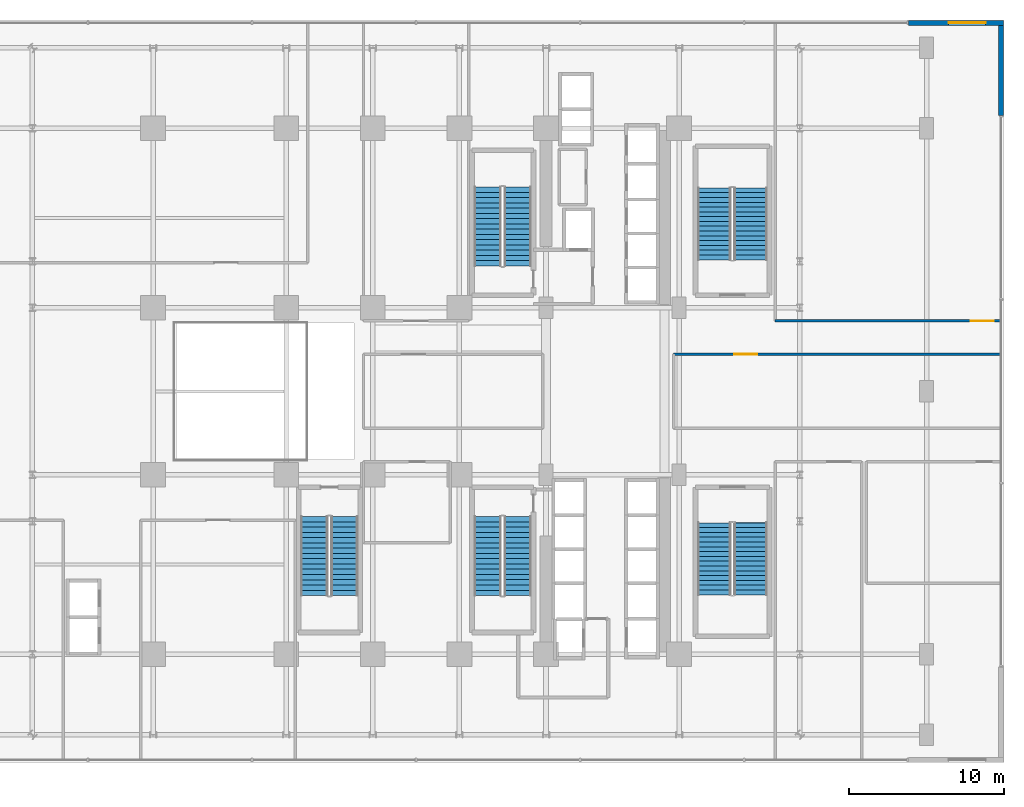
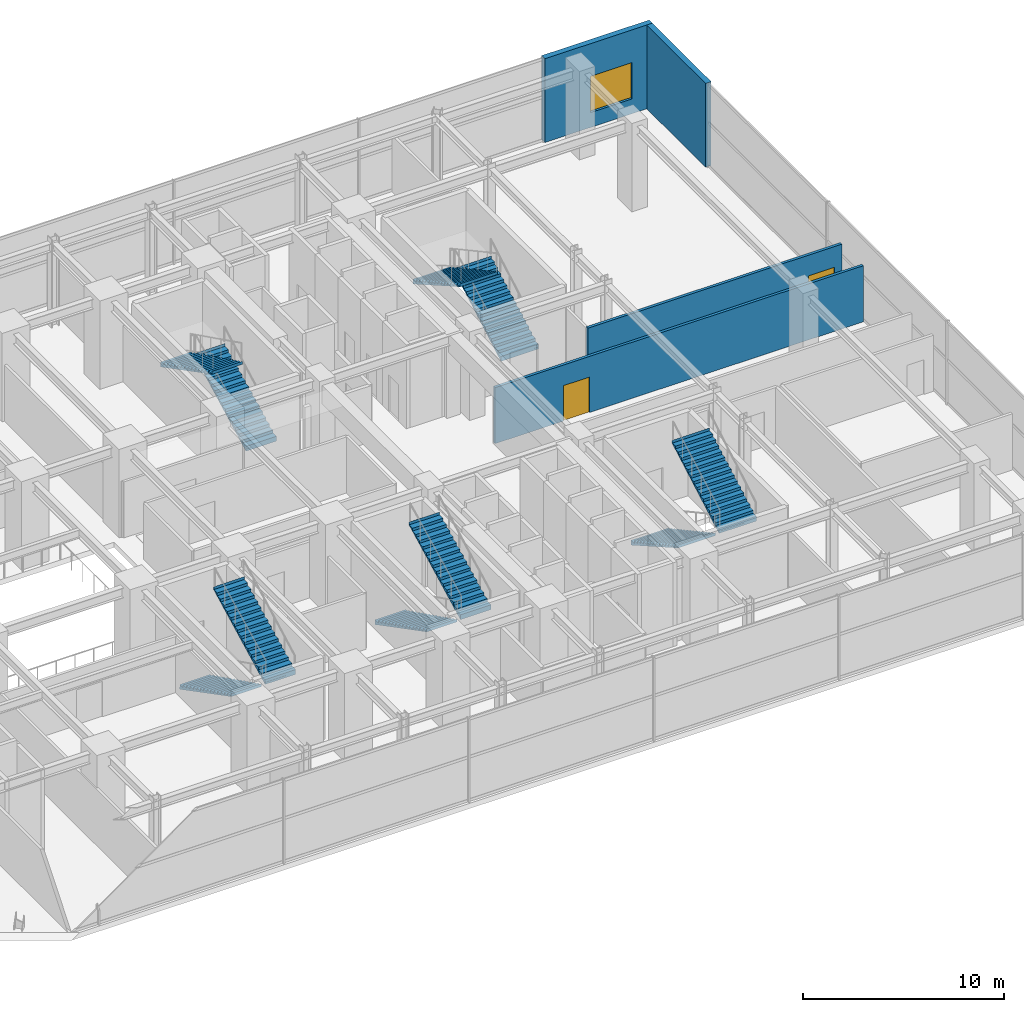
# One storey, part 30 of 32: 10 stair flights, 4 walls, 2 doors, 1 window, 3 openings, 5 elements without a shape of their own.
"""IFC4 building model written with IfcOpenShell, lengths in metres."""

from ifc_helpers import new_model, si_unit, direction, frame, frame_2d, origin, place, context, subcontext, project, spatial, polyline, rectangle, outline, extrude, source, transform, mapped, material, layer, layer_set, type_object, element, fill, aggregate, save


model = new_model("IFC4")

# Units and contexts
model_context = context("Model", 3, precision=1e-05, world=origin(), true_north=direction((0.0, 1.0)))
body_context = subcontext(model_context, "Body", "Model", "MODEL_VIEW")
ifc_project = project(units=[si_unit("LENGTHUNIT", "METRE"), si_unit("AREAUNIT", "SQUARE_METRE"), si_unit("VOLUMEUNIT", "CUBIC_METRE"), si_unit("PLANEANGLEUNIT", "RADIAN"), si_unit("MASSUNIT", "GRAM", prefix="KILO")], contexts=[model_context])

# Site, building, storey
site_placement = place(None, origin())
site = spatial("IfcSite", under=ifc_project, at=site_placement, CompositionType="ELEMENT")
building_placement = place(site_placement, origin())
building = spatial("IfcBuilding", under=site, at=building_placement, Name="Nahalor Promenade Grand Hotel", CompositionType="ELEMENT")
storey_placement = place(building_placement, frame((0.0, 0.0, 5.39990234375)))
storey = spatial("IfcBuildingStorey", under=building, at=storey_placement, Name="L01", CompositionType="ELEMENT", Elevation=5.39990234375)

# Wall, opening, window
ifc_material_1 = material(Name="Concrete B-40 (C32/40)", Category="concrete")
ifc_layer_1 = layer(ifc_material_1, 0.320068359375)
ifc_layer_set_1 = layer_set([ifc_layer_1], Name="Concrete B-40 (C32/40)")
wall_type_1 = type_object("IfcWallType", Name="Wall-LimestonePier-320", PredefinedType="STANDARD", material=ifc_layer_set_1)
shared_shape_1 = source(origin(), body_context, "Body", "SweptSolid", [
    extrude(rectangle(XDim=6.159912109375, YDim=0.320068359375, at=frame_2d((3.080078125, 0.0))), origin(), (0.0, 0.0, 1.0), 5.080078125),
])
wall_1_placement = place(storey_placement, frame((31.820068359375, 23.820068359375, 0.0), z_axis=(0.0, 0.0, 1.0), x_axis=(1.0, 0.0, 0.0)))
wall_1 = element("IfcWall", 1, at=wall_1_placement, inside=storey, type_object=wall_type_1, Name="W-L01-CRN-NE-X", PredefinedType="STANDARD", context=body_context, shape_type="MappedRepresentation", body=[
    mapped(shared_shape_1, transform((0.0, 0.0, 0.0), scale=1.0)),
])
opening_1_placement = place(wall_1_placement, frame((2.60009765625, 0.0, 0.89990234375)))
opening_1 = element("IfcOpeningElement", 2, at=opening_1_placement, cuts=wall_1, Name="Opening WN-02", PredefinedType="OPENING", context=body_context, shape_type="SweptSolid", body=[
    extrude(rectangle(XDim=2.39990234375, YDim=2.199951171875, at=frame_2d((1.199951171875, 1.10009765625))), frame((0.0, 0.169921875, 0.0), z_axis=(0.0, -1.0, 0.0), x_axis=(1.0, 0.0, 0.0)), (0.0, 0.0, 1.0), 0.340087890625),
])
ifc_material_2 = material(Name="Low-E Laminated Solar Glass", Category="glass")
window_type = type_object("IfcWindowType", Name="Win-PodiumArch-2400x2200", PartitioningType="SINGLE_PANEL", PredefinedType="WINDOW", material=ifc_material_2)
shared_shape_2 = source(origin(), body_context, "Body", "SweptSolid", [
    extrude(rectangle(XDim=2.39990234375, YDim=2.199951171875, at=frame_2d((1.199951171875, 1.10009765625))), frame((0.0, 0.030029296875, 0.0), z_axis=(0.0, -1.0, 0.0), x_axis=(1.0, 0.0, 0.0)), (0.0, 0.0, 1.0), 0.06005859375),
])
window_placement = place(opening_1_placement, origin())
window = element("IfcWindow", 3, at=window_placement, inside=storey, type_object=window_type, Name="WN-L01-NE-X", OverallHeight=2.199951171875, OverallWidth=2.39990234375, PartitioningType="SINGLE_PANEL", PredefinedType="WINDOW", context=body_context, shape_type="MappedRepresentation", body=[
    mapped(shared_shape_2, transform((0.0, 0.0, 0.0), scale=1.0)),
])
fill(opening_1, window)

# Wall
shared_shape_3 = source(origin(), body_context, "Body", "SweptSolid", [
    extrude(rectangle(XDim=5.83984375, YDim=0.320068359375, at=frame_2d((2.919921875, 0.0))), origin(), (0.0, 0.0, 1.0), 5.080078125),
])
wall_2_placement = place(storey_placement, frame((37.820068359375, 17.820068359375, 0.0), z_axis=(0.0, 0.0, 1.0), x_axis=(0.0, 1.0, 0.0)))
element("IfcWall", 4, at=wall_2_placement, inside=storey, type_object=wall_type_1, Name="W-L01-CRN-NE-Y", PredefinedType="STANDARD", context=body_context, shape_type="MappedRepresentation", body=[
    mapped(shared_shape_3, transform((0.0, 0.0, 0.0), scale=1.0)),
])

# Wall, opening, door
ifc_material_3 = material(Name="Acoustic Mineral Gypsum", Category="gypsum")
ifc_layer_2 = layer(ifc_material_3, 0.159912109375)
ifc_layer_set_2 = layer_set([ifc_layer_2], Name="Acoustic Mineral Gypsum")
wall_type_2 = type_object("IfcWallType", Name="Wall-PartCorridor-160", PredefinedType="PARTITIONING", material=ifc_layer_set_2)
shared_shape_4 = source(origin(), body_context, "Body", "SweptSolid", [
    extrude(rectangle(XDim=14.56005859375, YDim=0.159912109375, at=frame_2d((7.280029296875, 0.0))), origin(), (0.0, 0.0, 1.0), 3.400146484375),
])
wall_3_placement = place(storey_placement, frame((23.199951171875, 4.550048828125, 0.0), z_axis=(0.0, 0.0, 1.0), x_axis=(1.0, 0.0, 0.0)))
wall_3 = element("IfcWall", 5, at=wall_3_placement, inside=storey, type_object=wall_type_2, Name="W-L01-PR03-S", PredefinedType="PARTITIONING", context=body_context, shape_type="MappedRepresentation", body=[
    mapped(shared_shape_4, transform((0.0, 0.0, 0.0), scale=1.0)),
])
opening_2_placement = place(wall_3_placement, frame((12.652099609375, 0.0, 0.0)))
opening_2 = element("IfcOpeningElement", 6, at=opening_2_placement, cuts=wall_3, Name="Opening D-02", PredefinedType="OPENING", context=body_context, shape_type="SweptSolid", body=[
    extrude(rectangle(XDim=1.5, YDim=2.14990234375, at=frame_2d((0.75, 1.074951171875))), frame((0.0, 0.08984375, 0.0), z_axis=(0.0, -1.0, 0.0), x_axis=(1.0, 0.0, 0.0)), (0.0, 0.0, 1.0), 0.179931640625),
])
ifc_material_4 = material(Name="Fire-Rated Timber Composite", Category="wood")
door_type = type_object("IfcDoorType", Name="Door-SuiteDouble-1500", OperationType="DOUBLE_DOOR_SINGLE_SWING", PredefinedType="DOOR", material=ifc_material_4)
shared_shape_5 = source(origin(), body_context, "Body", "SweptSolid", [
    extrude(rectangle(XDim=1.5, YDim=2.14990234375, at=frame_2d((0.75, 1.074951171875))), frame((0.0, 0.02490234375, 0.0), z_axis=(0.0, -1.0, 0.0), x_axis=(1.0, 0.0, 0.0)), (0.0, 0.0, 1.0), 0.050048828125),
])
door_1_placement = place(opening_2_placement, origin())
door_1 = element("IfcDoor", 7, at=door_1_placement, inside=storey, type_object=door_type, Name="DR-L01-PR03", OperationType="DOUBLE_DOOR_SINGLE_SWING", OverallHeight=2.14990234375, OverallWidth=1.5, PredefinedType="DOOR", context=body_context, shape_type="MappedRepresentation", body=[
    mapped(shared_shape_5, transform((0.0, 0.0, 0.0), scale=1.0)),
])
fill(opening_2, door_1)

shared_shape_6 = source(origin(), body_context, "Body", "SweptSolid", [
    extrude(rectangle(XDim=21.110107421875, YDim=0.159912109375, at=frame_2d((10.55517578125, 0.0))), origin(), (0.0, 0.0, 1.0), 3.400146484375),
])
wall_4_placement = place(storey_placement, frame((16.64990234375, 2.39990234375, 0.0), z_axis=(0.0, 0.0, 1.0), x_axis=(1.0, 0.0, 0.0)))
wall_4 = element("IfcWall", 8, at=wall_4_placement, inside=storey, type_object=wall_type_2, Name="W-L01-PR08-N", PredefinedType="PARTITIONING", context=body_context, shape_type="MappedRepresentation", body=[
    mapped(shared_shape_6, transform((0.0, 0.0, 0.0), scale=1.0)),
])
opening_3_placement = place(wall_4_placement, frame((3.916015625, 0.0, 0.0)))
opening_3 = element("IfcOpeningElement", 9, at=opening_3_placement, cuts=wall_4, Name="Opening D-02", PredefinedType="OPENING", context=body_context, shape_type="SweptSolid", body=[
    extrude(rectangle(XDim=1.5, YDim=2.14990234375, at=frame_2d((0.75, 1.074951171875))), frame((0.0, 0.08984375, 0.0), z_axis=(0.0, -1.0, 0.0), x_axis=(1.0, 0.0, 0.0)), (0.0, 0.0, 1.0), 0.179931640625),
])
door_2_placement = place(opening_3_placement, frame((1.5, 0.0, 0.0), z_axis=(0.0, 0.0, 1.0), x_axis=(-1.0, 0.0, 0.0)))
door_2 = element("IfcDoor", 10, at=door_2_placement, inside=storey, type_object=door_type, Name="DR-L01-PR08", OperationType="DOUBLE_DOOR_SINGLE_SWING", OverallHeight=2.14990234375, OverallWidth=1.5, PredefinedType="DOOR", context=body_context, shape_type="MappedRepresentation", body=[
    mapped(shared_shape_5, transform((0.0, 0.0, 0.0), scale=1.0)),
])
fill(opening_3, door_2)

# Stair, stair flights
ifc_material_5 = material(Name="Concrete B-50 (C40/50)", Category="concrete")
stair_type_1 = type_object("IfcStairType", Name="Stair-ST1", PredefinedType="HALF_TURN_STAIR", material=ifc_material_5)
stair_1_placement = place(storey_placement, origin())
stair_1 = element("IfcStair", 11, at=stair_1_placement, inside=storey, type_object=stair_type_1, Name="L01 ST1", PredefinedType="HALF_TURN_STAIR")
ifc_layer_3 = layer(ifc_material_5, 0.179931640625)
ifc_layer_set_3 = layer_set([ifc_layer_3], Name="Concrete B-50 (C40/50)")
stair_flight_type_1 = type_object("IfcStairFlightType", Name="Flight-ST1", PredefinedType="STRAIGHT", material=ifc_layer_set_3)
shared_shape_7 = source(origin(), body_context, "Body", "SweptSolid", [
    extrude(outline(polyline([(-0.00390625, -0.1201171875), (-0.00390625, 0.0), (0.0, 0.0), (0.0, 0.168701171875), (0.340087890625, 0.168701171875), (0.340087890625, 0.33740234375), (0.679931640625, 0.33740234375), (0.679931640625, 0.50634765625), (1.02001953125, 0.50634765625), (1.02001953125, 0.675048828125), (1.360107421875, 0.675048828125), (1.360107421875, 0.84375), (1.699951171875, 0.84375), (1.699951171875, 1.012451171875), (2.0400390625, 1.012451171875), (2.0400390625, 1.18115234375), (2.3798828125, 1.18115234375), (2.3798828125, 1.35009765625), (2.719970703125, 1.35009765625), (2.719970703125, 1.518798828125), (3.06005859375, 1.518798828125), (3.06005859375, 1.6875), (3.39990234375, 1.6875), (3.39990234375, 1.856201171875), (3.739990234375, 1.856201171875), (3.739990234375, 2.02490234375), (4.080078125, 2.02490234375), (4.080078125, 2.19384765625), (4.419921875, 2.19384765625), (4.419921875, 2.362548828125), (4.760009765625, 2.362548828125), (4.760009765625, 2.53125), (5.10009765625, 2.53125), (5.10009765625, 2.699951171875), (5.10400390625, 2.699951171875), (5.10400390625, 2.52001953125), (0.02001953125, -0.1201171875), (-0.00390625, -0.1201171875)])), frame((0.0, 0.875, 0.0), z_axis=(0.0, -1.0, 0.0), x_axis=(1.0, 0.0, 0.0)), (0.0, 0.0, 1.0), 1.75),
])
stair_flight_1_placement = place(storey_placement, frame((6.574951171875, 8.10009765625, 0.0), z_axis=(0.0, 0.0, 1.0), x_axis=(0.0, 1.0, 0.0)))
stair_flight_1 = element("IfcStairFlight", 12, at=stair_flight_1_placement, type_object=stair_flight_type_1, Name="ST1 flight 1", NumberOfRisers=16, NumberOfTreads=15, PredefinedType="STRAIGHT", RiserHeight=0.16875, TreadLength=0.34, context=body_context, shape_type="MappedRepresentation", body=[
    mapped(shared_shape_7, transform((0.0, 0.0, 0.0), scale=1.0)),
])
stair_flight_2_placement = place(storey_placement, frame((4.625, 13.199951171875, 2.7001953125), z_axis=(0.0, 0.0, 1.0), x_axis=(0.0, -1.0, 0.0)))
stair_flight_2 = element("IfcStairFlight", 13, at=stair_flight_2_placement, type_object=stair_flight_type_1, Name="ST1 flight 2", NumberOfRisers=16, NumberOfTreads=15, PredefinedType="STRAIGHT", RiserHeight=0.16875, TreadLength=0.34, context=body_context, shape_type="MappedRepresentation", body=[
    mapped(shared_shape_7, transform((0.0, 0.0, 0.0), scale=1.0)),
])
aggregate(stair_1, [stair_flight_1, stair_flight_2])

stair_type_2 = type_object("IfcStairType", Name="Stair-ST2", PredefinedType="HALF_TURN_STAIR", material=ifc_material_5)
stair_2_placement = place(storey_placement, origin())
stair_2 = element("IfcStair", 14, at=stair_2_placement, inside=storey, type_object=stair_type_2, Name="L01 ST2", PredefinedType="HALF_TURN_STAIR")
ifc_layer_4 = layer(ifc_material_5, 0.18994140625)
ifc_layer_set_4 = layer_set([ifc_layer_4], Name="Concrete B-50 (C40/50)")
stair_flight_type_2 = type_object("IfcStairFlightType", Name="Flight-ST2", PredefinedType="STRAIGHT", material=ifc_layer_set_4)
shared_shape_8 = source(origin(), body_context, "Body", "SweptSolid", [
    extrude(outline(polyline([(-0.00390625, -0.1201171875), (-0.00390625, 0.0), (0.0, 0.0), (0.0, 0.168701171875), (0.340087890625, 0.168701171875), (0.340087890625, 0.33740234375), (0.679931640625, 0.33740234375), (0.679931640625, 0.50634765625), (1.02001953125, 0.50634765625), (1.02001953125, 0.675048828125), (1.360107421875, 0.675048828125), (1.360107421875, 0.84375), (1.699951171875, 0.84375), (1.699951171875, 1.012451171875), (2.0400390625, 1.012451171875), (2.0400390625, 1.18115234375), (2.3798828125, 1.18115234375), (2.3798828125, 1.35009765625), (2.719970703125, 1.35009765625), (2.719970703125, 1.518798828125), (3.06005859375, 1.518798828125), (3.06005859375, 1.6875), (3.39990234375, 1.6875), (3.39990234375, 1.856201171875), (3.739990234375, 1.856201171875), (3.739990234375, 2.02490234375), (4.080078125, 2.02490234375), (4.080078125, 2.19384765625), (4.419921875, 2.19384765625), (4.419921875, 2.362548828125), (4.760009765625, 2.362548828125), (4.760009765625, 2.53125), (5.10009765625, 2.53125), (5.10009765625, 2.699951171875), (5.10400390625, 2.699951171875), (5.10400390625, 2.52001953125), (0.02001953125, -0.1201171875), (-0.00390625, -0.1201171875)])), frame((0.0, 0.875, 0.0), z_axis=(0.0, -1.0, 0.0), x_axis=(1.0, 0.0, 0.0)), (0.0, 0.0, 1.0), 1.75),
])
stair_flight_3_placement = place(storey_placement, frame((4.625, -8.10009765625, 0.0), z_axis=(0.0, 0.0, 1.0), x_axis=(0.0, -1.0, 0.0)))
stair_flight_3 = element("IfcStairFlight", 15, at=stair_flight_3_placement, type_object=stair_flight_type_2, Name="ST2 flight 1", NumberOfRisers=16, NumberOfTreads=15, PredefinedType="STRAIGHT", RiserHeight=0.16875, TreadLength=0.34, context=body_context, shape_type="MappedRepresentation", body=[
    mapped(shared_shape_8, transform((0.0, 0.0, 0.0), scale=1.0)),
])
stair_flight_4_placement = place(storey_placement, frame((6.574951171875, -13.199951171875, 2.7001953125), z_axis=(0.0, 0.0, 1.0), x_axis=(0.0, 1.0, 0.0)))
stair_flight_4 = element("IfcStairFlight", 16, at=stair_flight_4_placement, type_object=stair_flight_type_2, Name="ST2 flight 2", NumberOfRisers=16, NumberOfTreads=15, PredefinedType="STRAIGHT", RiserHeight=0.16875, TreadLength=0.34, context=body_context, shape_type="MappedRepresentation", body=[
    mapped(shared_shape_8, transform((0.0, 0.0, 0.0), scale=1.0)),
])
aggregate(stair_2, [stair_flight_3, stair_flight_4])

stair_type_3 = type_object("IfcStairType", Name="Stair-ST3", PredefinedType="HALF_TURN_STAIR", material=ifc_material_5)
stair_3_placement = place(storey_placement, origin())
stair_3 = element("IfcStair", 17, at=stair_3_placement, inside=storey, type_object=stair_type_3, Name="L01 ST3", PredefinedType="HALF_TURN_STAIR")
ifc_layer_5 = layer(ifc_material_5, 0.199951171875)
ifc_layer_set_5 = layer_set([ifc_layer_5], Name="Concrete B-50 (C40/50)")
stair_flight_type_3 = type_object("IfcStairFlightType", Name="Flight-ST3", PredefinedType="STRAIGHT", material=ifc_layer_set_5)
shared_shape_9 = source(origin(), body_context, "Body", "SweptSolid", [
    extrude(outline(polyline([(-0.00390625, -0.1201171875), (-0.00390625, 0.0), (0.0, 0.0), (0.0, 0.168701171875), (0.340087890625, 0.168701171875), (0.340087890625, 0.33740234375), (0.679931640625, 0.33740234375), (0.679931640625, 0.50634765625), (1.02001953125, 0.50634765625), (1.02001953125, 0.675048828125), (1.360107421875, 0.675048828125), (1.360107421875, 0.84375), (1.699951171875, 0.84375), (1.699951171875, 1.012451171875), (2.0400390625, 1.012451171875), (2.0400390625, 1.18115234375), (2.3798828125, 1.18115234375), (2.3798828125, 1.35009765625), (2.719970703125, 1.35009765625), (2.719970703125, 1.518798828125), (3.06005859375, 1.518798828125), (3.06005859375, 1.6875), (3.39990234375, 1.6875), (3.39990234375, 1.856201171875), (3.739990234375, 1.856201171875), (3.739990234375, 2.02490234375), (4.080078125, 2.02490234375), (4.080078125, 2.19384765625), (4.419921875, 2.19384765625), (4.419921875, 2.362548828125), (4.760009765625, 2.362548828125), (4.760009765625, 2.53125), (5.10009765625, 2.53125), (5.10009765625, 2.699951171875), (5.10400390625, 2.699951171875), (5.10400390625, 2.52001953125), (0.02001953125, -0.1201171875), (-0.00390625, -0.1201171875)])), frame((0.0, 0.875, 0.0), z_axis=(0.0, -1.0, 0.0), x_axis=(1.0, 0.0, 0.0)), (0.0, 0.0, 1.0), 1.75),
])
stair_flight_5_placement = place(storey_placement, frame((-6.574951171875, -8.10009765625, 0.0), z_axis=(0.0, 0.0, 1.0), x_axis=(0.0, -1.0, 0.0)))
stair_flight_5 = element("IfcStairFlight", 18, at=stair_flight_5_placement, type_object=stair_flight_type_3, Name="ST3 flight 1", NumberOfRisers=16, NumberOfTreads=15, PredefinedType="STRAIGHT", RiserHeight=0.16875, TreadLength=0.34, context=body_context, shape_type="MappedRepresentation", body=[
    mapped(shared_shape_9, transform((0.0, 0.0, 0.0), scale=1.0)),
])
stair_flight_6_placement = place(storey_placement, frame((-4.625, -13.199951171875, 2.7001953125), z_axis=(0.0, 0.0, 1.0), x_axis=(0.0, 1.0, 0.0)))
stair_flight_6 = element("IfcStairFlight", 19, at=stair_flight_6_placement, type_object=stair_flight_type_3, Name="ST3 flight 2", NumberOfRisers=16, NumberOfTreads=15, PredefinedType="STRAIGHT", RiserHeight=0.16875, TreadLength=0.34, context=body_context, shape_type="MappedRepresentation", body=[
    mapped(shared_shape_9, transform((0.0, 0.0, 0.0), scale=1.0)),
])
aggregate(stair_3, [stair_flight_5, stair_flight_6])

stair_type_4 = type_object("IfcStairType", Name="Stair-ST4", PredefinedType="HALF_TURN_STAIR", material=ifc_material_5)
stair_4_placement = place(storey_placement, origin())
stair_4 = element("IfcStair", 20, at=stair_4_placement, inside=storey, type_object=stair_type_4, Name="L01 ST4", PredefinedType="HALF_TURN_STAIR")
ifc_layer_6 = layer(ifc_material_5, 0.2099609375)
ifc_layer_set_6 = layer_set([ifc_layer_6], Name="Concrete B-50 (C40/50)")
stair_flight_type_4 = type_object("IfcStairFlightType", Name="Flight-ST4", PredefinedType="STRAIGHT", material=ifc_layer_set_6)
shared_shape_10 = source(origin(), body_context, "Body", "SweptSolid", [
    extrude(outline(polyline([(-0.00390625, -0.1201171875), (-0.00390625, 0.0), (0.0, 0.0), (0.0, 0.168701171875), (0.31005859375, 0.168701171875), (0.31005859375, 0.33740234375), (0.6201171875, 0.33740234375), (0.6201171875, 0.50634765625), (0.929931640625, 0.50634765625), (0.929931640625, 0.675048828125), (1.239990234375, 0.675048828125), (1.239990234375, 0.84375), (1.550048828125, 0.84375), (1.550048828125, 1.012451171875), (1.860107421875, 1.012451171875), (1.860107421875, 1.18115234375), (2.169921875, 1.18115234375), (2.169921875, 1.35009765625), (2.47998046875, 1.35009765625), (2.47998046875, 1.518798828125), (2.7900390625, 1.518798828125), (2.7900390625, 1.6875), (3.10009765625, 1.6875), (3.10009765625, 1.856201171875), (3.409912109375, 1.856201171875), (3.409912109375, 2.02490234375), (3.719970703125, 2.02490234375), (3.719970703125, 2.19384765625), (4.030029296875, 2.19384765625), (4.030029296875, 2.362548828125), (4.340087890625, 2.362548828125), (4.340087890625, 2.53125), (4.64990234375, 2.53125), (4.64990234375, 2.699951171875), (4.654052734375, 2.699951171875), (4.654052734375, 2.52001953125), (0.02001953125, -0.1201171875), (-0.00390625, -0.1201171875)])), frame((0.0, 1.074951171875, 0.0), z_axis=(0.0, -1.0, 0.0), x_axis=(1.0, 0.0, 0.0)), (0.0, 0.0, 1.0), 2.14990234375),
])
stair_flight_7_placement = place(storey_placement, frame((21.625, 8.5, 0.0), z_axis=(0.0, 0.0, 1.0), x_axis=(0.0, 1.0, 0.0)))
stair_flight_7 = element("IfcStairFlight", 21, at=stair_flight_7_placement, type_object=stair_flight_type_4, Name="ST4 flight 1", NumberOfRisers=16, NumberOfTreads=15, PredefinedType="STRAIGHT", RiserHeight=0.16875, TreadLength=0.31, context=body_context, shape_type="MappedRepresentation", body=[
    mapped(shared_shape_10, transform((0.0, 0.0, 0.0), scale=1.0)),
])
stair_flight_8_placement = place(storey_placement, frame((19.27490234375, 13.14990234375, 2.7001953125), z_axis=(0.0, 0.0, 1.0), x_axis=(0.0, -1.0, 0.0)))
stair_flight_8 = element("IfcStairFlight", 22, at=stair_flight_8_placement, type_object=stair_flight_type_4, Name="ST4 flight 2", NumberOfRisers=16, NumberOfTreads=15, PredefinedType="STRAIGHT", RiserHeight=0.16875, TreadLength=0.31, context=body_context, shape_type="MappedRepresentation", body=[
    mapped(shared_shape_10, transform((0.0, 0.0, 0.0), scale=1.0)),
])
aggregate(stair_4, [stair_flight_7, stair_flight_8])

stair_type_5 = type_object("IfcStairType", Name="Stair-ST5", PredefinedType="HALF_TURN_STAIR", material=ifc_material_5)
stair_5_placement = place(storey_placement, origin())
stair_5 = element("IfcStair", 23, at=stair_5_placement, inside=storey, type_object=stair_type_5, Name="L01 ST5", PredefinedType="HALF_TURN_STAIR")
ifc_layer_7 = layer(ifc_material_5, 0.219970703125)
ifc_layer_set_7 = layer_set([ifc_layer_7], Name="Concrete B-50 (C40/50)")
stair_flight_type_5 = type_object("IfcStairFlightType", Name="Flight-ST5", PredefinedType="STRAIGHT", material=ifc_layer_set_7)
shared_shape_11 = source(origin(), body_context, "Body", "SweptSolid", [
    extrude(outline(polyline([(-0.00390625, -0.1201171875), (-0.00390625, 0.0), (0.0, 0.0), (0.0, 0.168701171875), (0.31005859375, 0.168701171875), (0.31005859375, 0.33740234375), (0.6201171875, 0.33740234375), (0.6201171875, 0.50634765625), (0.929931640625, 0.50634765625), (0.929931640625, 0.675048828125), (1.239990234375, 0.675048828125), (1.239990234375, 0.84375), (1.550048828125, 0.84375), (1.550048828125, 1.012451171875), (1.860107421875, 1.012451171875), (1.860107421875, 1.18115234375), (2.169921875, 1.18115234375), (2.169921875, 1.35009765625), (2.47998046875, 1.35009765625), (2.47998046875, 1.518798828125), (2.7900390625, 1.518798828125), (2.7900390625, 1.6875), (3.10009765625, 1.6875), (3.10009765625, 1.856201171875), (3.409912109375, 1.856201171875), (3.409912109375, 2.02490234375), (3.719970703125, 2.02490234375), (3.719970703125, 2.19384765625), (4.030029296875, 2.19384765625), (4.030029296875, 2.362548828125), (4.340087890625, 2.362548828125), (4.340087890625, 2.53125), (4.64990234375, 2.53125), (4.64990234375, 2.699951171875), (4.654052734375, 2.699951171875), (4.654052734375, 2.52001953125), (0.02001953125, -0.1201171875), (-0.00390625, -0.1201171875)])), frame((0.0, 1.074951171875, 0.0), z_axis=(0.0, -1.0, 0.0), x_axis=(1.0, 0.0, 0.0)), (0.0, 0.0, 1.0), 2.14990234375),
])
stair_flight_9_placement = place(storey_placement, frame((19.27490234375, -8.5, 0.0), z_axis=(0.0, 0.0, 1.0), x_axis=(0.0, -1.0, 0.0)))
stair_flight_9 = element("IfcStairFlight", 24, at=stair_flight_9_placement, type_object=stair_flight_type_5, Name="ST5 flight 1", NumberOfRisers=16, NumberOfTreads=15, PredefinedType="STRAIGHT", RiserHeight=0.16875, TreadLength=0.31, context=body_context, shape_type="MappedRepresentation", body=[
    mapped(shared_shape_11, transform((0.0, 0.0, 0.0), scale=1.0)),
])
stair_flight_10_placement = place(storey_placement, frame((21.625, -13.14990234375, 2.7001953125), z_axis=(0.0, 0.0, 1.0), x_axis=(0.0, 1.0, 0.0)))
stair_flight_10 = element("IfcStairFlight", 25, at=stair_flight_10_placement, type_object=stair_flight_type_5, Name="ST5 flight 2", NumberOfRisers=16, NumberOfTreads=15, PredefinedType="STRAIGHT", RiserHeight=0.16875, TreadLength=0.31, context=body_context, shape_type="MappedRepresentation", body=[
    mapped(shared_shape_11, transform((0.0, 0.0, 0.0), scale=1.0)),
])
aggregate(stair_5, [stair_flight_9, stair_flight_10])

save(model, "model.ifc")
